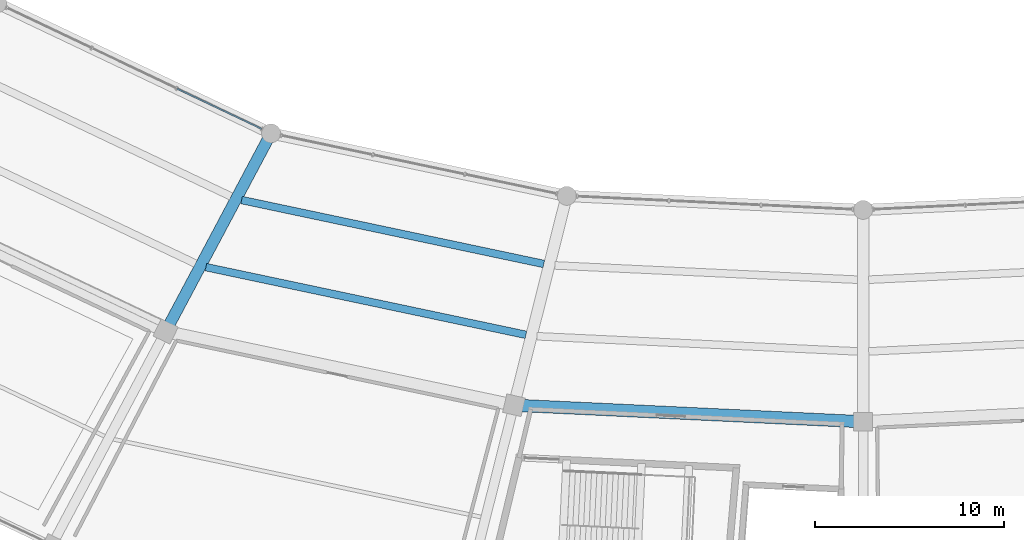
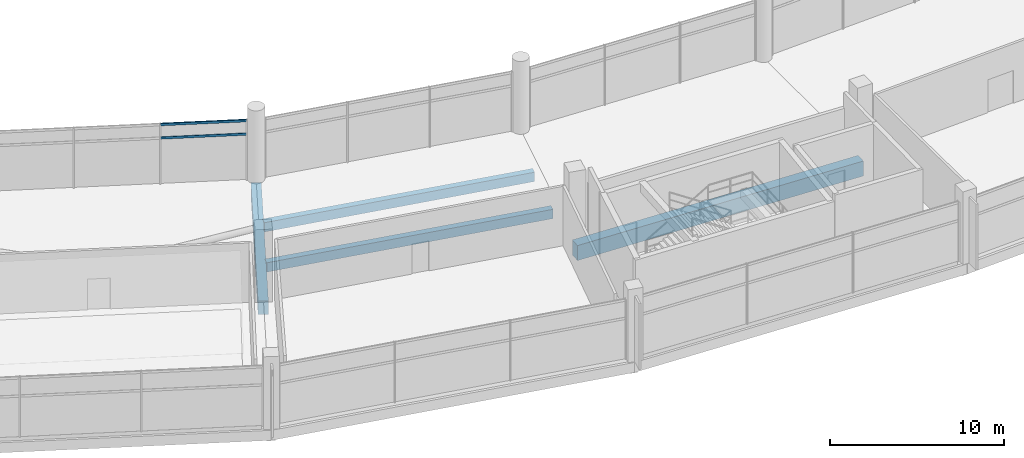
# One storey, part 23 of 184: 4 beams, 2 members, 1 element without a shape of its own.
"""IFC4 building model written with IfcOpenShell, lengths in metres."""

from ifc_helpers import new_model, si_unit, direction, frame, origin, origin_2d, place, context, subcontext, project, spatial, rectangle, hollow_rectangle, extrude, material, layer, layer_set, material_profile, profile_set, type_object, element, aggregate, save


model = new_model("IFC4")

# Units and contexts
model_context = context("Model", 3, precision=1e-05, world=origin(), true_north=direction((0.0, 1.0)))
body_context = subcontext(model_context, "Body", "Model", "MODEL_VIEW")
ifc_project = project(units=[si_unit("LENGTHUNIT", "METRE"), si_unit("AREAUNIT", "SQUARE_METRE"), si_unit("VOLUMEUNIT", "CUBIC_METRE"), si_unit("PLANEANGLEUNIT", "RADIAN"), si_unit("MASSUNIT", "GRAM", prefix="KILO")], contexts=[model_context])

# Site, building, storey
site_placement = place(None, origin())
site = spatial("IfcSite", under=ifc_project, at=site_placement, CompositionType="ELEMENT")
building_placement = place(site_placement, origin())
building = spatial("IfcBuilding", under=site, at=building_placement, Name="Kazemori Nagisa Stadium", CompositionType="ELEMENT")
storey_placement = place(building_placement, frame((0.0, 0.0, 10.5400390625)))
storey = spatial("IfcBuildingStorey", under=building, at=storey_placement, Name="L02", CompositionType="ELEMENT", Elevation=10.5400390625)

# Beams
ifc_material_1 = material(Name="Concrete C40/50 (Fc42)", Category="concrete")
ifc_material_profile_1 = material_profile(ifc_material_1, rectangle(XDim=0.60009765625, YDim=0.949951171875, at=origin_2d()), Name="RC-BM-600x950")
ifc_profile_set_1 = profile_set([ifc_material_profile_1], Name="Concrete C40/50 (Fc42)")
beam_type_1 = type_object("IfcBeamType", Name="Beam_BG-RC600X950", PredefinedType="BEAM", material=ifc_profile_set_1)
beam_1_placement = place(storey_placement, frame((91.75244140625, 43.260986328125, -0.735107421875), z_axis=(-0.469646804203, -0.882854393036, 0.0), x_axis=(0.882854393036, -0.469646804203, 0.0)))
element("IfcBeam", 1, at=beam_1_placement, inside=storey, type_object=beam_type_1, Name="Radial girder BG-RC600X950 L02 R1-R2-20", PredefinedType="BEAM", context=body_context, shape_type="SweptSolid", body=[
    extrude(rectangle(XDim=0.60009765625, YDim=0.949951171875, at=origin_2d()), origin(), (0.0, 0.0, 1.0), 11.84814453125),
])
ifc_material_profile_2 = material_profile(ifc_material_1, rectangle(XDim=0.64990234375, YDim=1.050048828125, at=origin_2d()), Name="RC-BM-650x1050")
ifc_profile_set_2 = profile_set([ifc_material_profile_2], Name="Concrete C40/50 (Fc42)")
beam_type_2 = type_object("IfcBeamType", Name="Beam_BG-RC650X1050", PredefinedType="BEAM", material=ifc_profile_set_2)
beam_2_placement = place(storey_placement, frame((104.572265625, 28.911376953125, -0.78515625), z_axis=(0.9988839804, -0.047231278829, 0.0), x_axis=(0.047231278829, 0.9988839804, 0.0)))
element("IfcBeam", 2, at=beam_2_placement, inside=storey, type_object=beam_type_2, Name="Ring girder BG-RC650X1050 L02 R2-21", PredefinedType="BEAM", context=body_context, shape_type="SweptSolid", body=[
    extrude(rectangle(XDim=0.64990234375, YDim=1.050048828125, at=origin_2d()), origin(), (0.0, 0.0, 1.0), 18.4482421875),
])
ifc_material_profile_3 = material_profile(ifc_material_1, rectangle(XDim=0.39990234375, YDim=0.64990234375, at=origin_2d()), Name="RC-BM-400x650")
ifc_profile_set_3 = profile_set([ifc_material_profile_3], Name="Concrete C40/50 (Fc42)")
beam_type_3 = type_object("IfcBeamType", Name="Beam_BJ-RC400X650", PredefinedType="JOIST", material=ifc_profile_set_3)
beam_3_placement = place(storey_placement, frame((90.200439453125, 39.739990234375, -0.5849609375), z_axis=(0.978345737153, -0.206977338361, 0.0), x_axis=(0.206977338361, 0.978345737153, 0.0)))
element("IfcBeam", 3, at=beam_3_placement, inside=storey, type_object=beam_type_3, Name="Concourse joist BJ-RC400X650 L02 B20-1", PredefinedType="JOIST", context=body_context, shape_type="SweptSolid", body=[
    extrude(rectangle(XDim=0.39990234375, YDim=0.64990234375, at=origin_2d()), origin(), (0.0, 0.0, 1.0), 16.30029296875),
])
beam_4_placement = place(storey_placement, frame((88.317138671875, 36.19970703125, -0.5849609375), z_axis=(0.97834325925, -0.206989050628, 0.0), x_axis=(0.206989050628, 0.97834325925, 0.0)))
element("IfcBeam", 4, at=beam_4_placement, inside=storey, type_object=beam_type_3, Name="Concourse joist BJ-RC400X650 L02 B20-2", PredefinedType="JOIST", context=body_context, shape_type="SweptSolid", body=[
    extrude(rectangle(XDim=0.39990234375, YDim=0.64990234375, at=origin_2d()), origin(), (0.0, 0.0, 1.0), 17.26171875),
])

# Curtain wall, members
ifc_material_2 = material(Name="Anodised aluminium 6063-T5", Category="aluminium")
ifc_layer = layer(ifc_material_2, 0.2099609375, Name="Anodised aluminium 6063-T5", Category="aluminium")
ifc_layer_set = layer_set([ifc_layer], Name="Anodised aluminium 6063-T5")
curtain_wall_type = type_object("IfcCurtainWallType", Name="CW_L02B_75", PredefinedType="USERDEFINED", material=ifc_layer_set)
curtain_wall_placement = place(storey_placement, origin())
curtain_wall = element("IfcCurtainWall", 5, at=curtain_wall_placement, inside=storey, type_object=curtain_wall_type, Name="Unitised curtain wall CW-L02B-75 L02", ObjectType="UNITISED CURTAIN WALL", PredefinedType="USERDEFINED")
ifc_material_3 = material(Name="Aluminium 6063-T5 anodised", Category="aluminium")
ifc_material_profile_4 = material_profile(ifc_material_3, hollow_rectangle(XDim=0.080078125, YDim=0.159912109375, WallThickness=0.00390625, at=origin_2d()), Name="ALU-TRAN-80x160x4")
ifc_profile_set_4 = profile_set([ifc_material_profile_4], Name="Aluminium 6063-T5 anodised")
member_type = type_object("IfcMemberType", Name="Transom_T02", PredefinedType="USERDEFINED", material=ifc_profile_set_4)
member_1_placement = place(storey_placement, frame((86.793212890625, 45.61767578125, 3.184326171875), z_axis=(0.903210397994, -0.429198062618, 0.0), x_axis=(0.429198062618, 0.903210397994, 0.0)))
member_1 = element("IfcMember", 6, at=member_1_placement, type_object=member_type, Name="Curtain wall transom CW-L02B-75-T3-mid", ObjectType="TRANSOM", PredefinedType="USERDEFINED", context=body_context, shape_type="SweptSolid", body=[
    extrude(hollow_rectangle(XDim=0.080078125, YDim=0.159912109375, WallThickness=0.00390625, at=origin_2d()), origin(), (0.0, 0.0, 1.0), 4.935791015625),
])
member_2_placement = place(storey_placement, frame((86.793212890625, 45.61767578125, 4.119873046875), z_axis=(0.903210397994, -0.429198062618, 0.0), x_axis=(0.429198062618, 0.903210397994, 0.0)))
member_2 = element("IfcMember", 7, at=member_2_placement, type_object=member_type, Name="Curtain wall transom CW-L02B-75-T3-head", ObjectType="TRANSOM", PredefinedType="USERDEFINED", context=body_context, shape_type="SweptSolid", body=[
    extrude(hollow_rectangle(XDim=0.080078125, YDim=0.159912109375, WallThickness=0.00390625, at=origin_2d()), origin(), (0.0, 0.0, 1.0), 4.935791015625),
])
aggregate(curtain_wall, [member_1, member_2])

save(model, "model.ifc")
